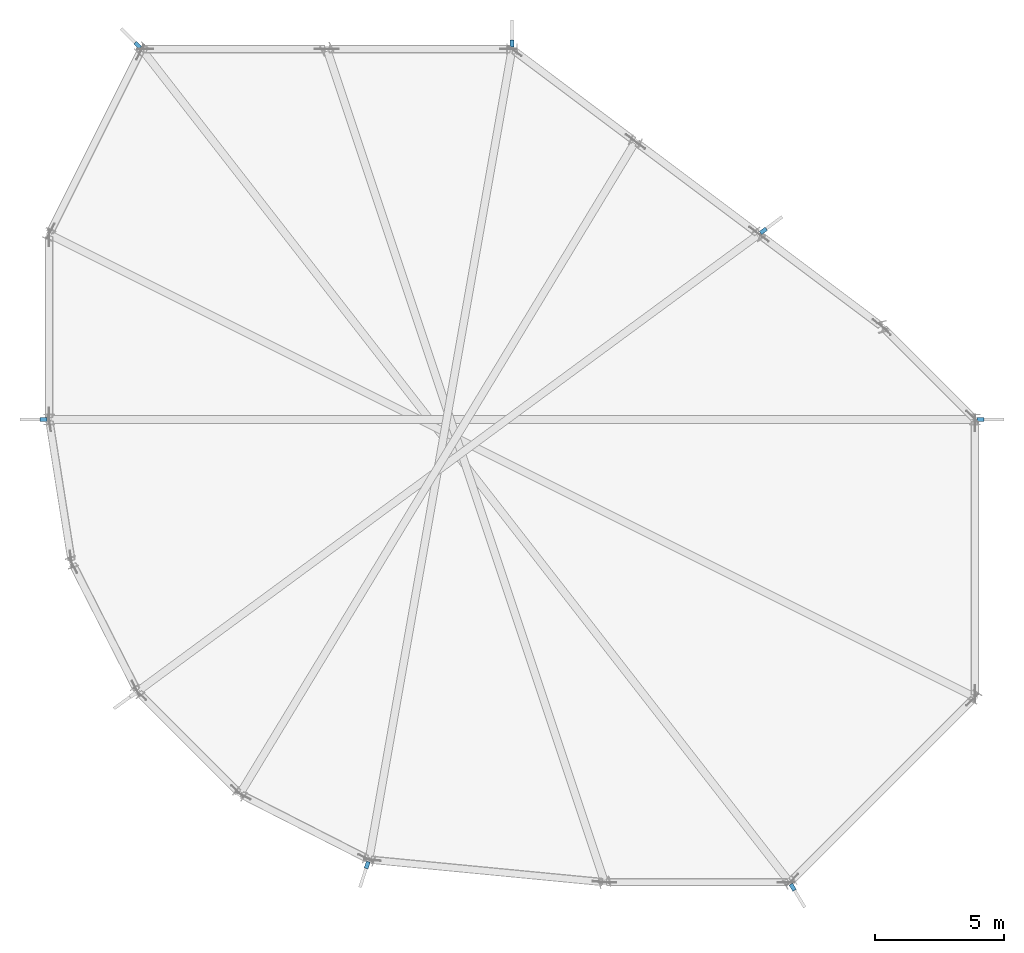
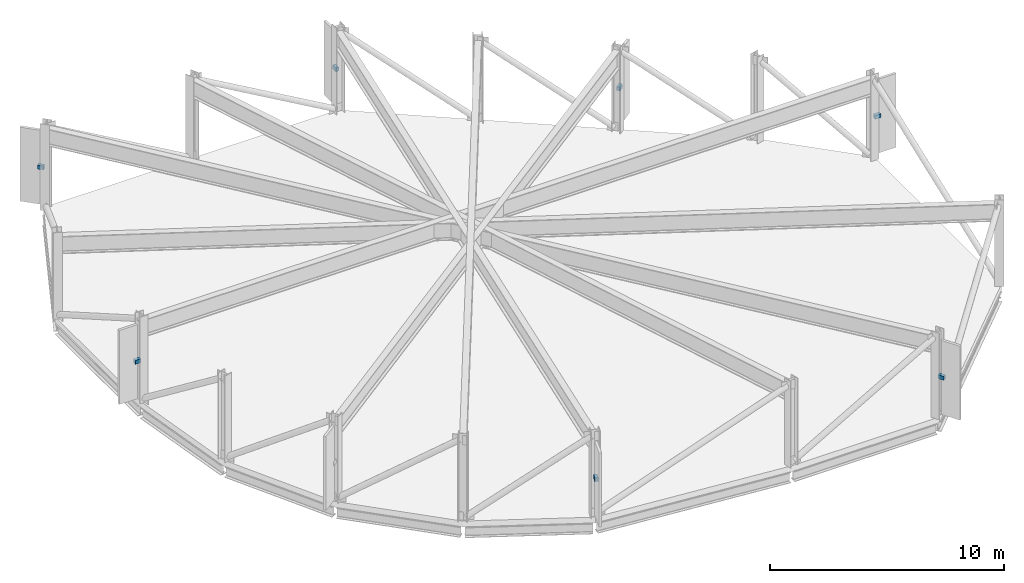
# One storey, part 4 of 5: 7 discrete accessories.
"""IFC4 building model written with IfcOpenShell, lengths in metres."""

from ifc_helpers import new_model, si_unit, direction, frame, origin, origin_2d, place, context, subcontext, project, spatial, rectangle, extrude, material, type_object, element, save


model = new_model("IFC4")

# Units and contexts
model_context = context("Model", 3, precision=1e-05, world=origin(), true_north=direction((0.0, 1.0)))
body_context = subcontext(model_context, "Body", "Model", "MODEL_VIEW")
ifc_project = project(units=[si_unit("LENGTHUNIT", "METRE"), si_unit("AREAUNIT", "SQUARE_METRE"), si_unit("VOLUMEUNIT", "CUBIC_METRE"), si_unit("PLANEANGLEUNIT", "RADIAN"), si_unit("MASSUNIT", "GRAM", prefix="KILO")], contexts=[model_context])

# Site, building, storey
site_placement = place(None, origin())
site = spatial("IfcSite", under=ifc_project, at=site_placement, CompositionType="ELEMENT")
building_placement = place(site_placement, origin())
building = spatial("IfcBuilding", under=site, at=building_placement, Name="Solnavia Interchange Tower", CompositionType="ELEMENT")
storey_placement = place(building_placement, frame((0.0, 0.0, 326.699951171875)))
storey = spatial("IfcBuildingStorey", under=building, at=storey_placement, Name="C06", CompositionType="ELEMENT", Elevation=326.699951171875)

# Discrete accessories
ifc_material = material(Name="Stainless Steel 1.4401", Category="steel")
discrete_accessory_type = type_object("IfcDiscreteAccessoryType", Name="Bracket-Shade-220", PredefinedType="BRACKET", material=ifc_material)
for number, where, z_axis, x_axis, name in (
    (1, (43.419921875, 21.60009765625, 2.02490234375), (0.0, 0.0, 1.0), (1.0, 0.0, 0.0), "BRK-C06-F01 Crown fin mounting bracket"),
    (2, (34.97607421875, 28.931884765625, 2.02490234375), (0.0, 0.0, 1.0), (0.799998928149, 0.600001429133, 0.0), "BRK-C06-F03 Crown fin mounting bracket"),
    (3, (25.199951171875, 36.219970703125, 2.02490234375), (0.0, 0.0, 1.0), (0.0, 1.0, 0.0), "BRK-C06-F05 Crown fin mounting bracket"),
    (4, (10.644287109375, 36.155517578125, 2.02490234375), (0.0, 0.0, 1.0), (-0.707106781187, 0.707106781187, 0.0), "BRK-C06-F07 Crown fin mounting bracket"),
    (5, (6.97998046875, 21.60009765625, 2.02490234375), (0.0, 0.0, 1.0), (-1.0, 0.0, 0.0), "BRK-C06-F09 Crown fin mounting bracket"),
    (6, (19.570068359375, 4.271728515625, 2.02490234375), (0.0, 0.0, 1.0), (-0.309016994375, -0.951056516295, 0.0), "BRK-C06-F13 Crown fin mounting bracket"),
    (7, (36.11328125, 3.411376953125, 2.02490234375), (0.0, 0.0, 1.0), (0.514439533782, -0.857526656194, 0.0), "BRK-C06-F15 Crown fin mounting bracket"),
):
    element("IfcDiscreteAccessory", number, at=place(storey_placement, frame(where, z_axis=z_axis, x_axis=x_axis)), inside=storey, type_object=discrete_accessory_type, Name=name, PredefinedType="BRACKET", context=body_context, shape_type="SweptSolid", body=[
        extrude(rectangle(XDim=0.280029296875, YDim=0.159912109375, at=origin_2d()), origin(), (0.0, 0.0, 1.0), 0.199951171875),
    ])

save(model, "model.ifc")
